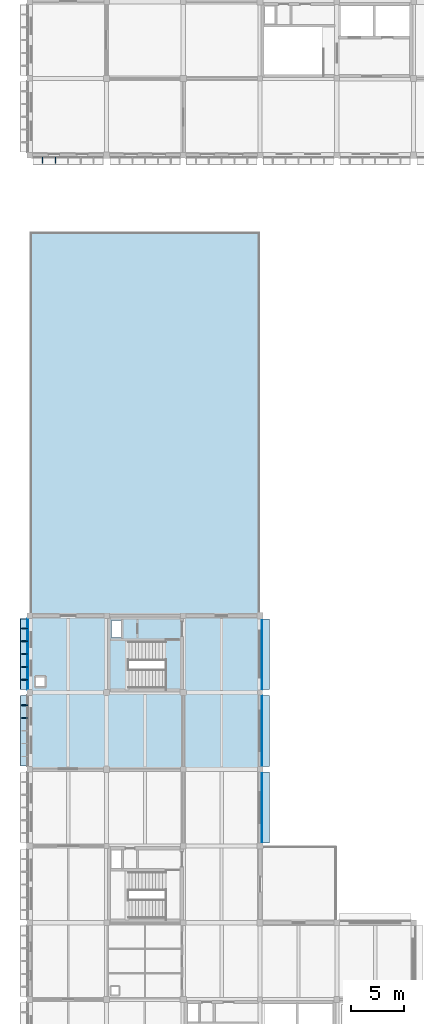
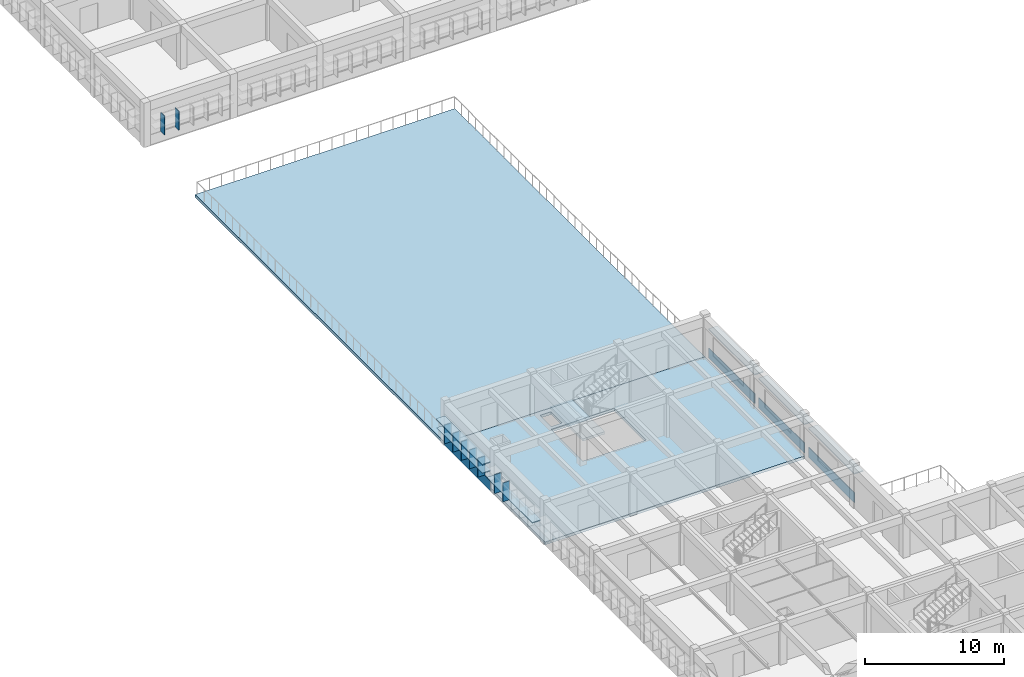
# One storey, part 6 of 22: 19 plates, 3 slabs, 1 element without a shape of its own.
"""IFC4 building model written with IfcOpenShell, lengths in metres."""

from ifc_helpers import new_model, si_unit, direction, frame, origin, origin_2d, place, context, subcontext, project, spatial, polyline, rectangle, outline, extrude, material, layer, layer_set, type_object, element, aggregate, save


model = new_model("IFC4")

# Units and contexts
model_context = context("Model", 3, precision=1e-05, world=origin(), true_north=direction((0.0, 1.0)))
body_context = subcontext(model_context, "Body", "Model", "MODEL_VIEW")
ifc_project = project(units=[si_unit("LENGTHUNIT", "METRE"), si_unit("AREAUNIT", "SQUARE_METRE"), si_unit("VOLUMEUNIT", "CUBIC_METRE"), si_unit("PLANEANGLEUNIT", "RADIAN"), si_unit("MASSUNIT", "GRAM", prefix="KILO")], contexts=[model_context])

# Site, building, storey
site_placement = place(None, origin())
site = spatial("IfcSite", under=ifc_project, at=site_placement, CompositionType="ELEMENT")
building_placement = place(site_placement, origin())
building = spatial("IfcBuilding", under=site, at=building_placement, Name="Thalmaran Polytechnic", CompositionType="ELEMENT")
storey_placement = place(building_placement, frame((0.0, 0.0, 22.800048828125)))
storey = spatial("IfcBuildingStorey", under=building, at=storey_placement, Name="L05", CompositionType="ELEMENT", Elevation=22.800048828125)

# Plates
ifc_material_1 = material(Name="Anodised aluminium spandrel band", Category="aluminium")
ifc_layer_1 = layer(ifc_material_1, 0.054931640625, Name="Anodised aluminium spandrel band")
ifc_layer_set_1 = layer_set([ifc_layer_1], Name="Anodised aluminium spandrel band")
plate_type_1 = type_object("IfcPlateType", Name="PT-BD01", PredefinedType="SHEET", material=ifc_layer_set_1)
plate_1_placement = place(storey_placement, frame((-0.195068359375, 46.804931640625, 0.02001953125), z_axis=(0.0, 0.0, 1.0), x_axis=(0.0, 1.0, 0.0)))
element("IfcPlate", 1, at=plate_1_placement, inside=storey, type_object=plate_type_1, Name="Streamline Horizontal Spandrel Band L05-045", PredefinedType="SHEET", context=body_context, shape_type="SweptSolid", body=[
    extrude(rectangle(XDim=6.64990234375, YDim=0.054931640625, at=origin_2d()), origin(), (0.0, 0.0, 1.0), 0.8798828125),
])
plate_2_placement = place(storey_placement, frame((21.77001953125, 46.780029296875, 0.02001953125), z_axis=(0.0, 0.0, 1.0), x_axis=(0.0, -1.0, 0.0)))
element("IfcPlate", 2, at=plate_2_placement, inside=storey, type_object=plate_type_1, Name="Streamline Horizontal Spandrel Band L05-049", PredefinedType="SHEET", context=body_context, shape_type="SweptSolid", body=[
    extrude(rectangle(XDim=6.6201171875, YDim=0.054931640625, at=origin_2d()), origin(), (0.0, 0.0, 1.0), 0.8798828125),
])
plate_3_placement = place(storey_placement, frame((21.77001953125, 39.60498046875, 0.02001953125), z_axis=(0.0, 0.0, 1.0), x_axis=(0.0, -1.0, 0.0)))
element("IfcPlate", 3, at=plate_3_placement, inside=storey, type_object=plate_type_1, Name="Streamline Horizontal Spandrel Band L05-050", PredefinedType="SHEET", context=body_context, shape_type="SweptSolid", body=[
    extrude(rectangle(XDim=6.64990234375, YDim=0.054931640625, at=origin_2d()), origin(), (0.0, 0.0, 1.0), 0.8798828125),
])
plate_4_placement = place(storey_placement, frame((21.77001953125, 32.407470703125, 0.02001953125), z_axis=(0.0, 0.0, 1.0), x_axis=(0.0, -1.0, 0.0)))
element("IfcPlate", 4, at=plate_4_placement, inside=storey, type_object=plate_type_1, Name="Streamline Horizontal Spandrel Band L05-051", PredefinedType="SHEET", context=body_context, shape_type="SweptSolid", body=[
    extrude(rectangle(XDim=6.625, YDim=0.054931640625, at=origin_2d()), origin(), (0.0, 0.0, 1.0), 0.8798828125),
])
ifc_material_2 = material(Name="Anodised aluminium sun-hood eyebrow", Category="aluminium")
ifc_layer_2 = layer(ifc_material_2, 0.0849609375, Name="Anodised aluminium sun-hood eyebrow")
ifc_layer_set_2 = layer_set([ifc_layer_2], Name="Anodised aluminium sun-hood eyebrow")
plate_type_2 = type_object("IfcPlateType", Name="PT-EB01", PredefinedType="SHEET", material=ifc_layer_set_2)
plate_5_placement = place(storey_placement, frame((-0.52001953125, 39.607421875, 1.74267578125), z_axis=(0.0, 0.0, 1.0), x_axis=(0.0, 1.0, 0.0)))
element("IfcPlate", 5, at=plate_5_placement, inside=storey, type_object=plate_type_2, Name="Abu Dhabi Horizontal Solar Louvre L05-044", PredefinedType="SHEET", context=body_context, shape_type="SweptSolid", body=[
    extrude(rectangle(XDim=6.5849609375, YDim=0.719970703125, at=origin_2d()), origin(), (0.0, 0.0, 1.0), 0.074951171875),
])
plate_6_placement = place(storey_placement, frame((-0.5400390625, 46.804931640625, 2.517578125), z_axis=(0.0, 0.0, 1.0), x_axis=(0.0, 1.0, 0.0)))
element("IfcPlate", 6, at=plate_6_placement, inside=storey, type_object=plate_type_2, Name="Streamline Sun-Hood Eyebrow L05-045", PredefinedType="SHEET", context=body_context, shape_type="SweptSolid", body=[
    extrude(rectangle(XDim=6.64990234375, YDim=0.760009765625, at=origin_2d()), origin(), (0.0, 0.0, 1.0), 0.0849609375),
])
plate_7_placement = place(storey_placement, frame((-0.52001953125, 46.804931640625, 1.74267578125), z_axis=(0.0, 0.0, 1.0), x_axis=(0.0, 1.0, 0.0)))
element("IfcPlate", 7, at=plate_7_placement, inside=storey, type_object=plate_type_2, Name="Abu Dhabi Horizontal Solar Louvre L05-045", PredefinedType="SHEET", context=body_context, shape_type="SweptSolid", body=[
    extrude(rectangle(XDim=6.610107421875, YDim=0.719970703125, at=origin_2d()), origin(), (0.0, 0.0, 1.0), 0.074951171875),
])
plate_8_placement = place(storey_placement, frame((22.114990234375, 46.780029296875, 2.517578125), z_axis=(0.0, 0.0, 1.0), x_axis=(0.0, -1.0, 0.0)))
element("IfcPlate", 8, at=plate_8_placement, inside=storey, type_object=plate_type_2, Name="Streamline Sun-Hood Eyebrow L05-049", PredefinedType="SHEET", context=body_context, shape_type="SweptSolid", body=[
    extrude(rectangle(XDim=6.6201171875, YDim=0.760009765625, at=origin_2d()), origin(), (0.0, 0.0, 1.0), 0.0849609375),
])
plate_9_placement = place(storey_placement, frame((22.114990234375, 39.60498046875, 2.517578125), z_axis=(0.0, 0.0, 1.0), x_axis=(0.0, -1.0, 0.0)))
element("IfcPlate", 9, at=plate_9_placement, inside=storey, type_object=plate_type_2, Name="Streamline Sun-Hood Eyebrow L05-050", PredefinedType="SHEET", context=body_context, shape_type="SweptSolid", body=[
    extrude(rectangle(XDim=6.64990234375, YDim=0.760009765625, at=origin_2d()), origin(), (0.0, 0.0, 1.0), 0.0849609375),
])
plate_10_placement = place(storey_placement, frame((22.114990234375, 32.407470703125, 2.517578125), z_axis=(0.0, 0.0, 1.0), x_axis=(0.0, -1.0, 0.0)))
element("IfcPlate", 10, at=plate_10_placement, inside=storey, type_object=plate_type_2, Name="Streamline Sun-Hood Eyebrow L05-051", PredefinedType="SHEET", context=body_context, shape_type="SweptSolid", body=[
    extrude(rectangle(XDim=6.625, YDim=0.760009765625, at=origin_2d()), origin(), (0.0, 0.0, 1.0), 0.0849609375),
])
ifc_material_3 = material(Name="Anodised bronze brise-soleil fin")
ifc_layer_3 = layer(ifc_material_3, 0.06494140625, Name="Anodised bronze brise-soleil fin")
ifc_layer_set_3 = layer_set([ifc_layer_3], Name="Anodised bronze brise-soleil fin")
plate_type_3 = type_object("IfcPlateType", Name="PT-FN01", PredefinedType="SHEET", material=ifc_layer_set_3)
for number, where, z_axis, x_axis, name in (
    (11, (2.398193359375, 93.139892578125, 0.89501953125), (0.0, 0.0, 1.0), (-1.0, 0.0, 0.0), "Abu Dhabi Solar Brise-Soleil Fin L05-034-4"),
    (12, (1.203857421875, 93.139892578125, 0.89501953125), (0.0, 0.0, 1.0), (-1.0, 0.0, 0.0), "Abu Dhabi Solar Brise-Soleil Fin L05-034-5"),
    (13, (-0.4599609375, 40.80712890625, 0.89501953125), (0.0, 0.0, 1.0), (0.0, 1.0, 0.0), "Abu Dhabi Solar Brise-Soleil Fin L05-044-4"),
    (14, (-0.4599609375, 42.0068359375, 0.89501953125), (0.0, 0.0, 1.0), (0.0, 1.0, 0.0), "Abu Dhabi Solar Brise-Soleil Fin L05-044-5"),
    (15, (-0.4599609375, 44.396484375, 0.89501953125), (0.0, 0.0, 1.0), (0.0, 1.0, 0.0), "Abu Dhabi Solar Brise-Soleil Fin L05-045-1"),
    (16, (-0.4599609375, 45.600830078125, 0.89501953125), (0.0, 0.0, 1.0), (0.0, 1.0, 0.0), "Abu Dhabi Solar Brise-Soleil Fin L05-045-2"),
    (17, (-0.4599609375, 46.804931640625, 0.89501953125), (0.0, 0.0, 1.0), (0.0, 1.0, 0.0), "Abu Dhabi Solar Brise-Soleil Fin L05-045-3"),
    (18, (-0.4599609375, 48.00927734375, 0.89501953125), (0.0, 0.0, 1.0), (0.0, 1.0, 0.0), "Abu Dhabi Solar Brise-Soleil Fin L05-045-4"),
    (19, (-0.4599609375, 49.21337890625, 0.89501953125), (0.0, 0.0, 1.0), (0.0, 1.0, 0.0), "Abu Dhabi Solar Brise-Soleil Fin L05-045-5"),
):
    element("IfcPlate", number, at=place(storey_placement, frame(where, z_axis=z_axis, x_axis=x_axis)), inside=storey, type_object=plate_type_3, Name=name, PredefinedType="SHEET", context=body_context, shape_type="SweptSolid", body=[
        extrude(rectangle(XDim=0.06494140625, YDim=0.56005859375, at=origin_2d()), origin(), (0.0, 0.0, 1.0), 1.64990234375),
    ])

# Slab
ifc_material_4 = material(Name="Concrete C40/50", Category="concrete")
ifc_layer_4 = layer(ifc_material_4, 0.2451171875, Name="Concrete C40/50")
ifc_layer_set_4 = layer_set([ifc_layer_4], Name="Concrete C40/50")
slab_type_1 = type_object("IfcSlabType", Name="SL-FL07", PredefinedType="FLOOR", material=ifc_layer_set_4)
slab_1_placement = place(storey_placement, frame((0.0, 0.0, -0.2451171875)))
element("IfcSlab", 20, at=slab_1_placement, inside=storey, type_object=slab_type_1, Name="V1N L05 Structural Slab", PredefinedType="FLOOR", context=body_context, shape_type="SweptSolid", body=[
    extrude(outline(polyline([(14.39990234375, 50.39990234375), (21.60009765625, 50.39990234375), (21.60009765625, 43.199951171875), (21.60009765625, 36.0), (14.39990234375, 36.0), (7.199951171875, 36.0), (0.0, 36.0), (0.0, 43.199951171875), (0.0, 50.39990234375), (7.199951171875, 50.39990234375), (14.39990234375, 50.39990234375)]), holes=[polyline([(7.449951171875, 43.449951171875), (12.719970703125, 43.449951171875), (12.719970703125, 48.0400390625), (7.449951171875, 48.0400390625), (7.449951171875, 43.449951171875)]), polyline([(7.639892578125, 49.9599609375), (7.639892578125, 48.340087890625), (8.56005859375, 48.340087890625), (8.56005859375, 49.9599609375), (7.639892578125, 49.9599609375)]), polyline([(1.449951171875, 44.64990234375), (0.550048828125, 44.64990234375), (0.550048828125, 43.75), (1.449951171875, 43.75), (1.449951171875, 44.64990234375)])]), origin(), (0.0, 0.0, 1.0), 0.2451171875),
])

# Stair, slab
stair_type = type_object("IfcStairType", Name="ST-HT39", PredefinedType="HALF_TURN_STAIR", material=ifc_material_4)
stair_placement = place(storey_placement, origin())
stair = element("IfcStair", 21, at=stair_placement, inside=storey, type_object=stair_type, Name="Exit Stair ST4 L05", PredefinedType="HALF_TURN_STAIR")
ifc_layer_5 = layer(ifc_material_4, 0.2099609375, Name="Concrete C40/50")
ifc_layer_set_5 = layer_set([ifc_layer_5], Name="Concrete C40/50")
slab_type_2 = type_object("IfcSlabType", Name="SL-LD01", PredefinedType="LANDING", material=ifc_layer_set_5)
slab_2_placement = place(storey_placement, frame((0.0, 0.0, 1.739990234375)))
slab_2 = element("IfcSlab", 22, at=slab_2_placement, type_object=slab_type_2, Name="ST4 L05 Half Landing", PredefinedType="LANDING", context=body_context, shape_type="SweptSolid", body=[
    extrude(outline(polyline([(7.43994140625, 43.43994140625), (9.260009765625, 43.43994140625), (9.260009765625, 48.139892578125), (7.43994140625, 48.139892578125), (7.43994140625, 43.43994140625)])), origin(), (0.0, 0.0, 1.0), 0.2099609375),
])
aggregate(stair, [slab_2])

# Slab
ifc_layer_6 = layer(ifc_material_4, 0.264892578125, Name="Concrete C40/50")
ifc_layer_set_6 = layer_set([ifc_layer_6], Name="Concrete C40/50")
slab_type_3 = type_object("IfcSlabType", Name="SL-TR02", PredefinedType="FLOOR", material=ifc_layer_set_6)
slab_3_placement = place(storey_placement, frame((0.0, 0.0, -0.26513671875)))
element("IfcSlab", 23, at=slab_3_placement, inside=storey, type_object=slab_type_3, Name="V1 L05 Outdoor Terrace Slab", PredefinedType="FLOOR", context=body_context, shape_type="SweptSolid", body=[
    extrude(outline(polyline([(0.0, 72.0), (0.0, 79.199951171875), (0.0, 86.39990234375), (7.199951171875, 86.39990234375), (14.39990234375, 86.39990234375), (21.60009765625, 86.39990234375), (21.60009765625, 79.199951171875), (21.60009765625, 72.0), (21.60009765625, 64.800048828125), (21.60009765625, 57.60009765625), (21.60009765625, 50.39990234375), (14.39990234375, 50.39990234375), (7.199951171875, 50.39990234375), (0.0, 50.39990234375), (0.0, 57.60009765625), (0.0, 64.800048828125), (0.0, 72.0)])), origin(), (0.0, 0.0, 1.0), 0.26513671875),
])

save(model, "model.ifc")
